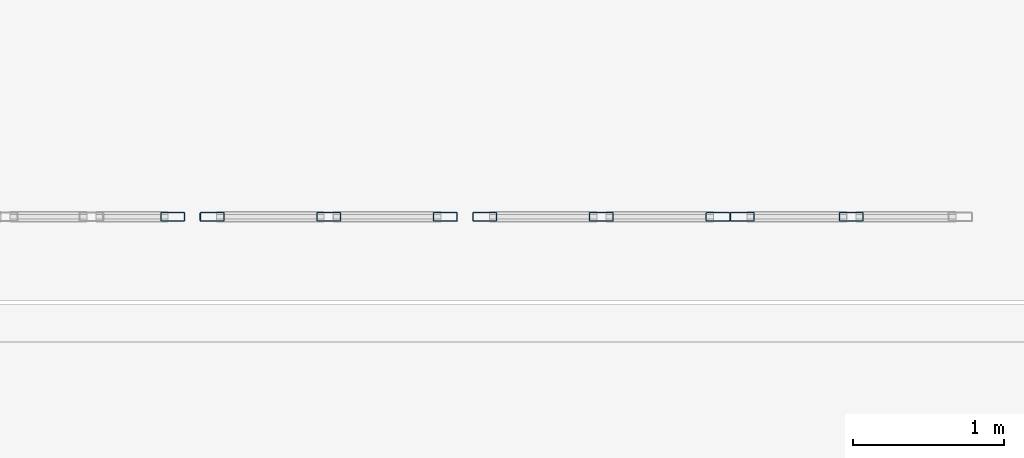
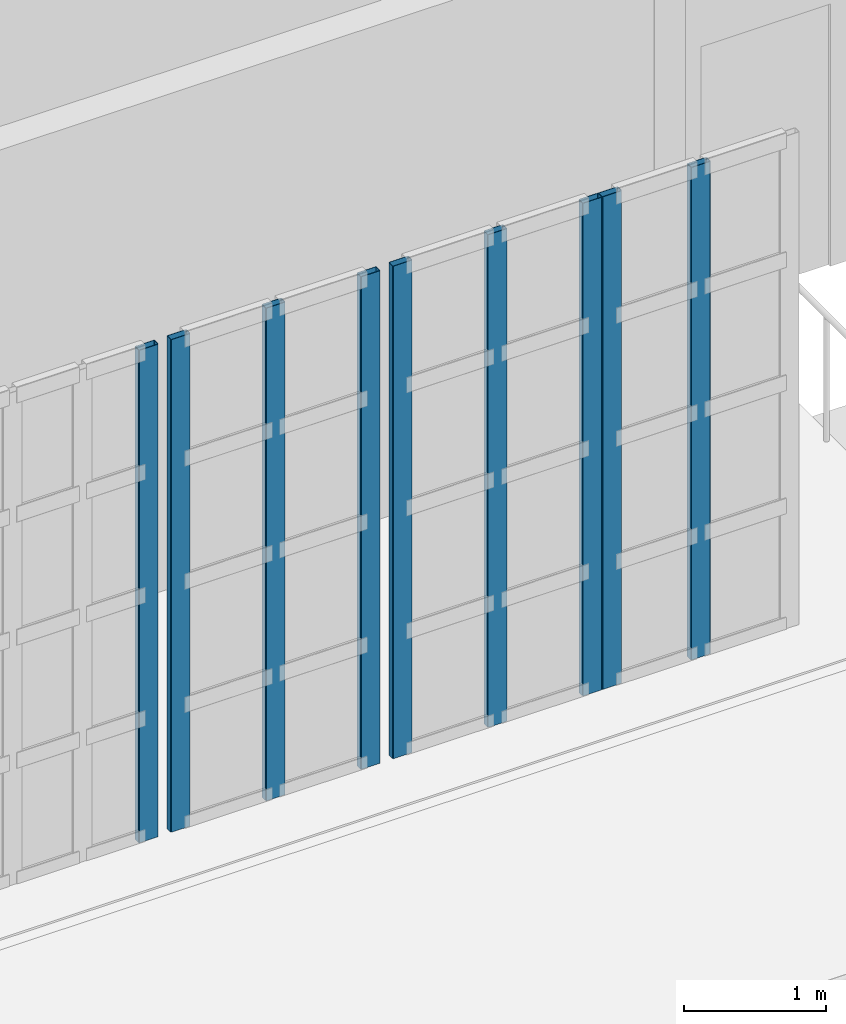
# One storey, part 8 of 56: 9 members, 4 elements without a shape of their own.
"""IFC4 building model written with IfcOpenShell, lengths in metres."""

from ifc_helpers import new_model, si_unit, direction, frame, origin, origin_2d, place, context, subcontext, project, spatial, hollow_rectangle, extrude, material, material_profile, profile_set, type_object, element, aggregate, save


model = new_model("IFC4")

# Units and contexts
model_context = context("Model", 3, precision=1e-05, world=origin(), true_north=direction((0.0, 1.0)))
body_context = subcontext(model_context, "Body", "Model", "MODEL_VIEW")
ifc_project = project(units=[si_unit("LENGTHUNIT", "METRE"), si_unit("AREAUNIT", "SQUARE_METRE"), si_unit("VOLUMEUNIT", "CUBIC_METRE"), si_unit("PLANEANGLEUNIT", "RADIAN"), si_unit("MASSUNIT", "GRAM", prefix="KILO")], contexts=[model_context])

# Site, building, storey
site_placement = place(None, origin())
site = spatial("IfcSite", under=ifc_project, at=site_placement, CompositionType="ELEMENT")
building_placement = place(site_placement, origin())
building = spatial("IfcBuilding", under=site, at=building_placement, Name="Kaelora Sail Theatre", CompositionType="ELEMENT")
storey_placement = place(building_placement, frame((0.0, 0.0, 14.699951171875)))
storey = spatial("IfcBuildingStorey", under=building, at=storey_placement, Name="L03", CompositionType="ELEMENT", Elevation=14.699951171875)

# Curtain wall, member
ifc_material_1 = material(Name="Anodised aluminium and solar-control low-E IGU", Category="aluminium")
curtain_wall_type = type_object("IfcCurtainWallType", Name="ARC-CW-CW-BRG", PredefinedType="NOTDEFINED", material=ifc_material_1)
curtain_wall_1_placement = place(storey_placement, origin())
curtain_wall_1 = element("IfcCurtainWall", 1, at=curtain_wall_1_placement, inside=storey, type_object=curtain_wall_type, Name="Glazed Foyer/Conservatory Curtain Wall FC1-S-L03-03", PredefinedType="NOTDEFINED")
ifc_material_2 = material(Name="Anodised aluminium 6063-T6", Category="aluminium")
ifc_material_profile = material_profile(ifc_material_2, hollow_rectangle(XDim=0.06005859375, YDim=0.159912109375, WallThickness=0.00390625, InnerFilletRadius=0.00390625, OuterFilletRadius=0.008056640625, at=origin_2d()), Name="ALU-MULL 60x160x4")
ifc_profile_set = profile_set([ifc_material_profile], Name="Anodised aluminium 6063-T6")
member_type = type_object("IfcMemberType", Name="ARC-MEM-ML-160", PredefinedType="MULLION", material=ifc_profile_set)
member_1_placement = place(storey_placement, frame((68.570068359375, 66.389892578125, 0.0), z_axis=(0.0, 0.0, 1.0), x_axis=(0.0, 1.0, 0.0)))
member_1 = element("IfcMember", 2, at=member_1_placement, type_object=member_type, Name="CW-BRG mullion 4", PredefinedType="MULLION", context=body_context, shape_type="SweptSolid", body=[
    extrude(hollow_rectangle(XDim=0.06005859375, YDim=0.159912109375, WallThickness=0.00390625, InnerFilletRadius=0.00390625, OuterFilletRadius=0.008056640625, at=origin_2d()), origin(), (0.0, 0.0, 1.0), 4.22509765625),
])
aggregate(curtain_wall_1, [member_1])

# Curtain wall, members
curtain_wall_2_placement = place(storey_placement, origin())
curtain_wall_2 = element("IfcCurtainWall", 3, at=curtain_wall_2_placement, inside=storey, type_object=curtain_wall_type, Name="Glazed Foyer/Conservatory Curtain Wall FC1-S-L03-04", PredefinedType="NOTDEFINED")
member_2_placement = place(storey_placement, frame((68.830078125, 66.389892578125, 0.0), z_axis=(0.0, 0.0, 1.0), x_axis=(0.0, 1.0, 0.0)))
member_2 = element("IfcMember", 4, at=member_2_placement, type_object=member_type, Name="CW-BRG mullion 1", PredefinedType="MULLION", context=body_context, shape_type="SweptSolid", body=[
    extrude(hollow_rectangle(XDim=0.06005859375, YDim=0.159912109375, WallThickness=0.00390625, InnerFilletRadius=0.00390625, OuterFilletRadius=0.008056640625, at=origin_2d()), origin(), (0.0, 0.0, 1.0), 4.22509765625),
])
member_3_placement = place(storey_placement, frame((69.60009765625, 66.389892578125, 0.0), z_axis=(0.0, 0.0, 1.0), x_axis=(0.0, 1.0, 0.0)))
member_3 = element("IfcMember", 5, at=member_3_placement, type_object=member_type, Name="CW-BRG mullion 2", PredefinedType="MULLION", context=body_context, shape_type="SweptSolid", body=[
    extrude(hollow_rectangle(XDim=0.06005859375, YDim=0.159912109375, WallThickness=0.00390625, InnerFilletRadius=0.00390625, OuterFilletRadius=0.008056640625, at=origin_2d()), origin(), (0.0, 0.0, 1.0), 4.22509765625),
])
member_4_placement = place(storey_placement, frame((70.3701171875, 66.389892578125, 0.0), z_axis=(0.0, 0.0, 1.0), x_axis=(0.0, 1.0, 0.0)))
member_4 = element("IfcMember", 6, at=member_4_placement, type_object=member_type, Name="CW-BRG mullion 3", PredefinedType="MULLION", context=body_context, shape_type="SweptSolid", body=[
    extrude(hollow_rectangle(XDim=0.06005859375, YDim=0.159912109375, WallThickness=0.00390625, InnerFilletRadius=0.00390625, OuterFilletRadius=0.008056640625, at=origin_2d()), origin(), (0.0, 0.0, 1.0), 4.22509765625),
])
aggregate(curtain_wall_2, [member_2, member_3, member_4])

curtain_wall_3_placement = place(storey_placement, origin())
curtain_wall_3 = element("IfcCurtainWall", 7, at=curtain_wall_3_placement, inside=storey, type_object=curtain_wall_type, Name="Glazed Foyer/Conservatory Curtain Wall FC1-S-L03-05", PredefinedType="NOTDEFINED")
member_5_placement = place(storey_placement, frame((70.6298828125, 66.389892578125, 0.0), z_axis=(0.0, 0.0, 1.0), x_axis=(0.0, 1.0, 0.0)))
member_5 = element("IfcMember", 8, at=member_5_placement, type_object=member_type, Name="CW-BRG mullion 1", PredefinedType="MULLION", context=body_context, shape_type="SweptSolid", body=[
    extrude(hollow_rectangle(XDim=0.06005859375, YDim=0.159912109375, WallThickness=0.00390625, InnerFilletRadius=0.00390625, OuterFilletRadius=0.008056640625, at=origin_2d()), origin(), (0.0, 0.0, 1.0), 4.22509765625),
])
member_6_placement = place(storey_placement, frame((71.39990234375, 66.389892578125, 0.0), z_axis=(0.0, 0.0, 1.0), x_axis=(0.0, 1.0, 0.0)))
member_6 = element("IfcMember", 9, at=member_6_placement, type_object=member_type, Name="CW-BRG mullion 2", PredefinedType="MULLION", context=body_context, shape_type="SweptSolid", body=[
    extrude(hollow_rectangle(XDim=0.06005859375, YDim=0.159912109375, WallThickness=0.00390625, InnerFilletRadius=0.00390625, OuterFilletRadius=0.008056640625, at=origin_2d()), origin(), (0.0, 0.0, 1.0), 4.22509765625),
])
member_7_placement = place(storey_placement, frame((72.169921875, 66.389892578125, 0.0), z_axis=(0.0, 0.0, 1.0), x_axis=(0.0, 1.0, 0.0)))
member_7 = element("IfcMember", 10, at=member_7_placement, type_object=member_type, Name="CW-BRG mullion 3", PredefinedType="MULLION", context=body_context, shape_type="SweptSolid", body=[
    extrude(hollow_rectangle(XDim=0.06005859375, YDim=0.159912109375, WallThickness=0.00390625, InnerFilletRadius=0.00390625, OuterFilletRadius=0.008056640625, at=origin_2d()), origin(), (0.0, 0.0, 1.0), 4.22509765625),
])
aggregate(curtain_wall_3, [member_5, member_6, member_7])

curtain_wall_4_placement = place(storey_placement, origin())
curtain_wall_4 = element("IfcCurtainWall", 11, at=curtain_wall_4_placement, inside=storey, type_object=curtain_wall_type, Name="Glazed Foyer/Conservatory Curtain Wall FC1-S-L03-06", PredefinedType="NOTDEFINED")
member_8_placement = place(storey_placement, frame((72.330078125, 66.389892578125, 0.0), z_axis=(0.0, 0.0, 1.0), x_axis=(0.0, 1.0, 0.0)))
member_8 = element("IfcMember", 12, at=member_8_placement, type_object=member_type, Name="CW-BRG mullion 1", PredefinedType="MULLION", context=body_context, shape_type="SweptSolid", body=[
    extrude(hollow_rectangle(XDim=0.06005859375, YDim=0.159912109375, WallThickness=0.00390625, InnerFilletRadius=0.00390625, OuterFilletRadius=0.008056640625, at=origin_2d()), origin(), (0.0, 0.0, 1.0), 4.22509765625),
])
member_9_placement = place(storey_placement, frame((73.050048828125, 66.389892578125, 0.0), z_axis=(0.0, 0.0, 1.0), x_axis=(0.0, 1.0, 0.0)))
member_9 = element("IfcMember", 13, at=member_9_placement, type_object=member_type, Name="CW-BRG mullion 2", PredefinedType="MULLION", context=body_context, shape_type="SweptSolid", body=[
    extrude(hollow_rectangle(XDim=0.06005859375, YDim=0.159912109375, WallThickness=0.00390625, InnerFilletRadius=0.00390625, OuterFilletRadius=0.008056640625, at=origin_2d()), origin(), (0.0, 0.0, 1.0), 4.22509765625),
])
aggregate(curtain_wall_4, [member_8, member_9])

save(model, "model.ifc")
